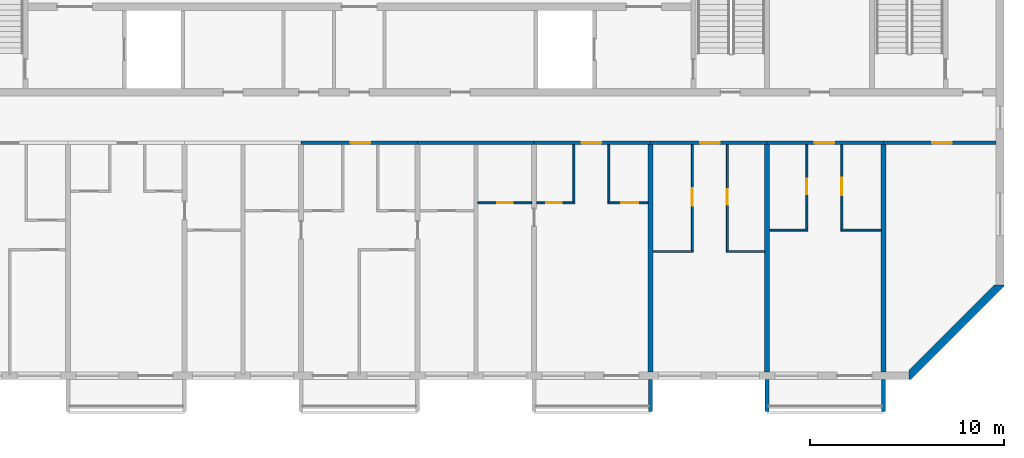
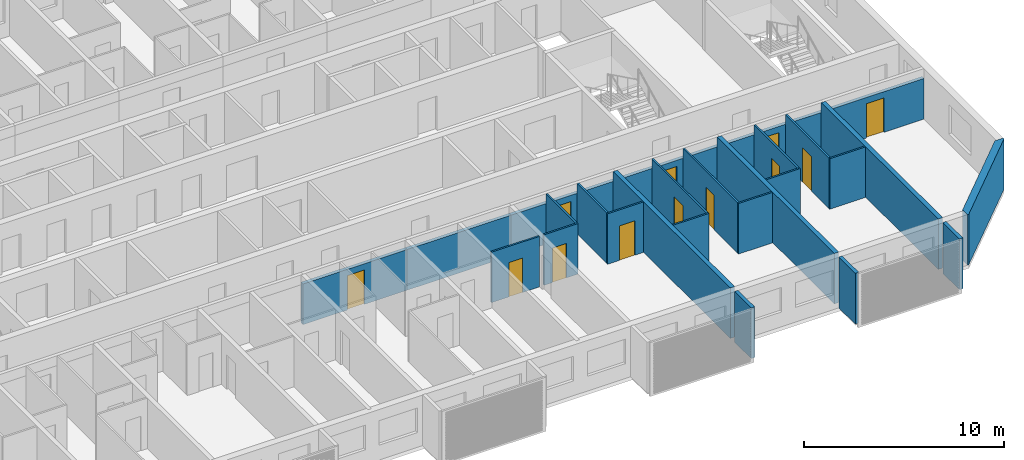
# One storey, part 5 of 26: 26 walls, 12 doors, 12 openings.
"""IFC4 building model written with IfcOpenShell, lengths in metres."""

from ifc_helpers import new_model, si_unit, direction, frame, frame_2d, origin, place, context, subcontext, project, spatial, polyline, rectangle, outline, extrude, source, transform, mapped, material, layer, layer_set, type_object, element, fill, save


model = new_model("IFC4")

# Units and contexts
model_context = context("Model", 3, precision=1e-05, world=origin(), true_north=direction((0.0, 1.0)))
body_context = subcontext(model_context, "Body", "Model", "MODEL_VIEW")
ifc_project = project(units=[si_unit("LENGTHUNIT", "METRE"), si_unit("AREAUNIT", "SQUARE_METRE"), si_unit("VOLUMEUNIT", "CUBIC_METRE"), si_unit("PLANEANGLEUNIT", "RADIAN"), si_unit("MASSUNIT", "GRAM", prefix="KILO")], contexts=[model_context])

# Site, building, storey
site_placement = place(None, origin())
site = spatial("IfcSite", under=ifc_project, at=site_placement, CompositionType="ELEMENT")
building_placement = place(site_placement, origin())
building = spatial("IfcBuilding", under=site, at=building_placement, Name="Poui Terraces", CompositionType="ELEMENT")
storey_placement = place(building_placement, frame((0.0, 0.0, 178.5)))
storey = spatial("IfcBuildingStorey", under=building, at=storey_placement, Name="L49", CompositionType="ELEMENT", Elevation=178.5)

# Wall, opening, door
ifc_material_1 = material(Name="Concrete 50 MPa", Category="concrete")
ifc_layer_1 = layer(ifc_material_1, 0.199951171875)
ifc_layer_set_1 = layer_set([ifc_layer_1], Name="Concrete 50 MPa")
wall_type_1 = type_object("IfcWallType", Name="CORRIDOR WALL 200 50MPa", PredefinedType="SHEAR", material=ifc_layer_set_1)
wall_1_placement = place(storey_placement, frame((48.0, 12.0, 0.0), z_axis=(0.0, 0.0, 1.0), x_axis=(1.0, 0.0, 0.0)))
wall_1 = element("IfcWall", 1, at=wall_1_placement, inside=storey, type_object=wall_type_1, Name="CORRIDOR WALL LINE B BAY 6", PredefinedType="SHEAR", context=body_context, shape_type="SweptSolid", body=[
    extrude(rectangle(XDim=6.0, YDim=0.199951171875, at=frame_2d((3.0, 0.0))), origin(), (0.0, 0.0, 1.0), 2.47998046875),
])
opening_1_placement = place(wall_1_placement, frame((2.550048828125, 0.0, 0.0)))
opening_1 = element("IfcOpeningElement", 2, at=opening_1_placement, cuts=wall_1, Name="Opening FD30S", PredefinedType="OPENING", context=body_context, shape_type="SweptSolid", body=[
    extrude(rectangle(XDim=1.0, YDim=2.10009765625, at=frame_2d((0.5, 1.050048828125))), frame((0.0, 0.10986328125, 0.0), z_axis=(0.0, -1.0, 0.0), x_axis=(1.0, 0.0, 0.0)), (0.0, 0.0, 1.0), 0.219970703125),
])
ifc_material_2 = material(Name="Steel fire door", Category="steel")
door_type_1 = type_object("IfcDoorType", Name="FLAT ENTRANCE DOOR 1000 X 2100", OperationType="NOTDEFINED", PredefinedType="DOOR", material=ifc_material_2)
door_1_placement = place(opening_1_placement, frame((1.0, 0.0, 0.0), z_axis=(0.0, 0.0, 1.0), x_axis=(-1.0, 0.0, 0.0)))
door_1 = element("IfcDoor", 3, at=door_1_placement, inside=storey, type_object=door_type_1, Name="FLAT ENTRANCE DOOR 079", OperationType="SINGLE_SWING_LEFT", OverallHeight=2.10009765625, OverallWidth=1.0, PredefinedType="DOOR", context=body_context, shape_type="SweptSolid", body=[
    extrude(rectangle(XDim=1.0, YDim=2.10009765625, at=frame_2d((0.5, 1.050048828125))), frame((0.0, 0.02490234375, 0.0), z_axis=(0.0, -1.0, 0.0), x_axis=(1.0, 0.0, 0.0)), (0.0, 0.0, 1.0), 0.050048828125),
])
fill(opening_1, door_1)

# Wall
wall_2_placement = place(storey_placement, frame((54.0, 12.0, 0.0), z_axis=(0.0, 0.0, 1.0), x_axis=(1.0, 0.0, 0.0)))
element("IfcWall", 4, at=wall_2_placement, inside=storey, type_object=wall_type_1, Name="CORRIDOR WALL LINE B BAY 7", PredefinedType="SHEAR", context=body_context, shape_type="SweptSolid", body=[
    extrude(rectangle(XDim=6.0, YDim=0.199951171875, at=frame_2d((3.0, 0.0))), origin(), (0.0, 0.0, 1.0), 2.47998046875),
])

# Wall, opening, door
wall_3_placement = place(storey_placement, frame((60.0, 12.0, 0.0), z_axis=(0.0, 0.0, 1.0), x_axis=(1.0, 0.0, 0.0)))
wall_3 = element("IfcWall", 5, at=wall_3_placement, inside=storey, type_object=wall_type_1, Name="CORRIDOR WALL LINE B BAY 8", PredefinedType="SHEAR", context=body_context, shape_type="SweptSolid", body=[
    extrude(rectangle(XDim=6.0, YDim=0.199951171875, at=frame_2d((3.0, 0.0))), origin(), (0.0, 0.0, 1.0), 2.47998046875),
])
opening_2_placement = place(wall_3_placement, frame((2.449951171875, 0.0, 0.0)))
opening_2 = element("IfcOpeningElement", 6, at=opening_2_placement, cuts=wall_3, Name="Opening FD30S", PredefinedType="OPENING", context=body_context, shape_type="SweptSolid", body=[
    extrude(rectangle(XDim=1.0, YDim=2.10009765625, at=frame_2d((0.5, 1.050048828125))), frame((0.0, 0.10986328125, 0.0), z_axis=(0.0, -1.0, 0.0), x_axis=(1.0, 0.0, 0.0)), (0.0, 0.0, 1.0), 0.219970703125),
])
door_2_placement = place(opening_2_placement, frame((1.0, 0.0, 0.0), z_axis=(0.0, 0.0, 1.0), x_axis=(-1.0, 0.0, 0.0)))
door_2 = element("IfcDoor", 7, at=door_2_placement, inside=storey, type_object=door_type_1, Name="FLAT ENTRANCE DOOR 086", OperationType="SINGLE_SWING_RIGHT", OverallHeight=2.10009765625, OverallWidth=1.0, PredefinedType="DOOR", context=body_context, shape_type="SweptSolid", body=[
    extrude(rectangle(XDim=1.0, YDim=2.10009765625, at=frame_2d((0.5, 1.050048828125))), frame((0.0, 0.02490234375, 0.0), z_axis=(0.0, -1.0, 0.0), x_axis=(1.0, 0.0, 0.0)), (0.0, 0.0, 1.0), 0.050048828125),
])
fill(opening_2, door_2)

wall_4_placement = place(storey_placement, frame((66.0, 12.0, 0.0), z_axis=(0.0, 0.0, 1.0), x_axis=(1.0, 0.0, 0.0)))
wall_4 = element("IfcWall", 8, at=wall_4_placement, inside=storey, type_object=wall_type_1, Name="CORRIDOR WALL LINE B BAY 9", PredefinedType="SHEAR", context=body_context, shape_type="SweptSolid", body=[
    extrude(rectangle(XDim=6.0, YDim=0.199951171875, at=frame_2d((3.0, 0.0))), origin(), (0.0, 0.0, 1.0), 2.47998046875),
])
opening_3_placement = place(wall_4_placement, frame((2.550048828125, 0.0, 0.0)))
opening_3 = element("IfcOpeningElement", 9, at=opening_3_placement, cuts=wall_4, Name="Opening FD30S", PredefinedType="OPENING", context=body_context, shape_type="SweptSolid", body=[
    extrude(rectangle(XDim=1.0, YDim=2.10009765625, at=frame_2d((0.5, 1.050048828125))), frame((0.0, 0.10986328125, 0.0), z_axis=(0.0, -1.0, 0.0), x_axis=(1.0, 0.0, 0.0)), (0.0, 0.0, 1.0), 0.219970703125),
])
door_3_placement = place(opening_3_placement, frame((1.0, 0.0, 0.0), z_axis=(0.0, 0.0, 1.0), x_axis=(-1.0, 0.0, 0.0)))
door_3 = element("IfcDoor", 10, at=door_3_placement, inside=storey, type_object=door_type_1, Name="FLAT ENTRANCE DOOR 089", OperationType="SINGLE_SWING_LEFT", OverallHeight=2.10009765625, OverallWidth=1.0, PredefinedType="DOOR", context=body_context, shape_type="SweptSolid", body=[
    extrude(rectangle(XDim=1.0, YDim=2.10009765625, at=frame_2d((0.5, 1.050048828125))), frame((0.0, 0.02490234375, 0.0), z_axis=(0.0, -1.0, 0.0), x_axis=(1.0, 0.0, 0.0)), (0.0, 0.0, 1.0), 0.050048828125),
])
fill(opening_3, door_3)

wall_5_placement = place(storey_placement, frame((72.0, 12.0, 0.0), z_axis=(0.0, 0.0, 1.0), x_axis=(1.0, 0.0, 0.0)))
wall_5 = element("IfcWall", 11, at=wall_5_placement, inside=storey, type_object=wall_type_1, Name="CORRIDOR WALL LINE B BAY 10", PredefinedType="SHEAR", context=body_context, shape_type="SweptSolid", body=[
    extrude(rectangle(XDim=6.0, YDim=0.199951171875, at=frame_2d((3.0, 0.0))), origin(), (0.0, 0.0, 1.0), 2.47998046875),
])
opening_4_placement = place(wall_5_placement, frame((2.449951171875, 0.0, 0.0)))
opening_4 = element("IfcOpeningElement", 12, at=opening_4_placement, cuts=wall_5, Name="Opening FD30S", PredefinedType="OPENING", context=body_context, shape_type="SweptSolid", body=[
    extrude(rectangle(XDim=1.0, YDim=2.10009765625, at=frame_2d((0.5, 1.050048828125))), frame((0.0, 0.10986328125, 0.0), z_axis=(0.0, -1.0, 0.0), x_axis=(1.0, 0.0, 0.0)), (0.0, 0.0, 1.0), 0.219970703125),
])
door_4_placement = place(opening_4_placement, frame((1.0, 0.0, 0.0), z_axis=(0.0, 0.0, 1.0), x_axis=(-1.0, 0.0, 0.0)))
door_4 = element("IfcDoor", 13, at=door_4_placement, inside=storey, type_object=door_type_1, Name="FLAT ENTRANCE DOOR 092", OperationType="SINGLE_SWING_RIGHT", OverallHeight=2.10009765625, OverallWidth=1.0, PredefinedType="DOOR", context=body_context, shape_type="SweptSolid", body=[
    extrude(rectangle(XDim=1.0, YDim=2.10009765625, at=frame_2d((0.5, 1.050048828125))), frame((0.0, 0.02490234375, 0.0), z_axis=(0.0, -1.0, 0.0), x_axis=(1.0, 0.0, 0.0)), (0.0, 0.0, 1.0), 0.050048828125),
])
fill(opening_4, door_4)

wall_6_placement = place(storey_placement, frame((78.0, 12.0, 0.0), z_axis=(0.0, 0.0, 1.0), x_axis=(1.0, 0.0, 0.0)))
wall_6 = element("IfcWall", 14, at=wall_6_placement, inside=storey, type_object=wall_type_1, Name="CORRIDOR WALL LINE B BAY 11", PredefinedType="SHEAR", context=body_context, shape_type="SweptSolid", body=[
    extrude(rectangle(XDim=5.800048828125, YDim=0.199951171875, at=frame_2d((2.89990234375, 0.0))), origin(), (0.0, 0.0, 1.0), 2.47998046875),
])
opening_5_placement = place(wall_6_placement, frame((2.5, 0.0, 0.0)))
opening_5 = element("IfcOpeningElement", 15, at=opening_5_placement, cuts=wall_6, Name="Opening D100", PredefinedType="OPENING", context=body_context, shape_type="SweptSolid", body=[
    extrude(rectangle(XDim=1.0, YDim=2.10009765625, at=frame_2d((0.5, 1.050048828125))), frame((0.0, 0.10986328125, 0.0), z_axis=(0.0, -1.0, 0.0), x_axis=(1.0, 0.0, 0.0)), (0.0, 0.0, 1.0), 0.219970703125),
])
ifc_material_3 = material(Name="Solid core timber door", Category="wood")
door_type_2 = type_object("IfcDoorType", Name="ACCESSIBLE INTERNAL DOOR 1000 X 2100", OperationType="NOTDEFINED", PredefinedType="DOOR", material=ifc_material_3)
door_5_placement = place(opening_5_placement, frame((1.0, 0.0, 0.0), z_axis=(0.0, 0.0, 1.0), x_axis=(-1.0, 0.0, 0.0)))
door_5 = element("IfcDoor", 16, at=door_5_placement, inside=storey, type_object=door_type_2, Name="ACCESSIBLE INTERNAL DOOR 094", OperationType="SINGLE_SWING_RIGHT", OverallHeight=2.10009765625, OverallWidth=1.0, PredefinedType="DOOR", context=body_context, shape_type="SweptSolid", body=[
    extrude(rectangle(XDim=1.0, YDim=2.10009765625, at=frame_2d((0.5, 1.050048828125))), frame((0.0, 0.02490234375, 0.0), z_axis=(0.0, -1.0, 0.0), x_axis=(1.0, 0.0, 0.0)), (0.0, 0.0, 1.0), 0.050048828125),
])
fill(opening_5, door_5)

# Walls
ifc_layer_2 = layer(ifc_material_1, 0.25)
ifc_layer_set_2 = layer_set([ifc_layer_2], Name="Concrete 50 MPa")
wall_type_2 = type_object("IfcWallType", Name="CROSS WALL 250 50MPa", PredefinedType="SHEAR", material=ifc_layer_set_2)
for number, where, z_axis, x_axis, name in (
    (17, (66.0, 0.199951171875, 0.0), (0.0, 0.0, 1.0), (0.0, 1.0, 0.0), "CROSS WALL LINE 12 SOUTH"),
    (18, (72.0, 0.199951171875, 0.0), (0.0, 0.0, 1.0), (0.0, 1.0, 0.0), "CROSS WALL LINE 13 SOUTH"),
    (19, (78.0, 0.199951171875, 0.0), (0.0, 0.0, 1.0), (0.0, 1.0, 0.0), "CROSS WALL LINE 14 SOUTH"),
):
    element("IfcWall", number, at=place(storey_placement, frame(where, z_axis=z_axis, x_axis=x_axis)), inside=storey, type_object=wall_type_2, Name=name, PredefinedType="SHEAR", context=body_context, shape_type="SweptSolid", body=[
        extrude(rectangle(XDim=11.699951171875, YDim=0.25, at=frame_2d((5.85009765625, 0.0))), origin(), (0.0, 0.0, 1.0), 3.080078125),
    ])
ifc_material_4 = material(Name="Plasterboard partition")
ifc_layer_3 = layer(ifc_material_4, 0.10009765625)
ifc_layer_set_3 = layer_set([ifc_layer_3], Name="Plasterboard partition")
wall_type_3 = type_object("IfcWallType", Name="FLAT PARTITION 100", PredefinedType="PARTITIONING", material=ifc_layer_set_3)
wall_7_placement = place(storey_placement, frame((66.135009765625, 6.39990234375, 0.0), z_axis=(0.0, 0.0, 1.0), x_axis=(1.0, 0.0, 0.0)))
element("IfcWall", 20, at=wall_7_placement, inside=storey, type_object=wall_type_3, Name="FLAT PARTITION 100", PredefinedType="PARTITIONING", context=body_context, shape_type="SweptSolid", body=[
    extrude(rectangle(XDim=2.06494140625, YDim=0.10009765625, at=frame_2d((1.032470703125, 0.0))), origin(), (0.0, 0.0, 1.0), 3.080078125),
])
for number, where, z_axis, x_axis, name in (
    (21, (69.89990234375, 6.39990234375, 0.0), (0.0, 0.0, 1.0), (1.0, 0.0, 0.0), "FLAT PARTITION 100"),
    (22, (72.135009765625, 7.5, 0.0), (0.0, 0.0, 1.0), (1.0, 0.0, 0.0), "FLAT PARTITION 100"),
):
    element("IfcWall", number, at=place(storey_placement, frame(where, z_axis=z_axis, x_axis=x_axis)), inside=storey, type_object=wall_type_3, Name=name, PredefinedType="PARTITIONING", context=body_context, shape_type="SweptSolid", body=[
        extrude(rectangle(XDim=1.965087890625, YDim=0.10009765625, at=frame_2d((0.982421875, 0.0))), origin(), (0.0, 0.0, 1.0), 3.080078125),
    ])
wall_8_placement = place(storey_placement, frame((75.800048828125, 7.5, 0.0), z_axis=(0.0, 0.0, 1.0), x_axis=(1.0, 0.0, 0.0)))
element("IfcWall", 23, at=wall_8_placement, inside=storey, type_object=wall_type_3, Name="FLAT PARTITION 100", PredefinedType="PARTITIONING", context=body_context, shape_type="SweptSolid", body=[
    extrude(rectangle(XDim=2.06494140625, YDim=0.10009765625, at=frame_2d((1.032470703125, 0.0))), origin(), (0.0, 0.0, 1.0), 3.080078125),
])

# Wall, opening, door
wall_9_placement = place(storey_placement, frame((57.10009765625, 8.89990234375, 0.0), z_axis=(0.0, 0.0, 1.0), x_axis=(1.0, 0.0, 0.0)))
wall_9 = element("IfcWall", 24, at=wall_9_placement, inside=storey, type_object=wall_type_3, Name="FLAT PARTITION 100", PredefinedType="PARTITIONING", context=body_context, shape_type="SweptSolid", body=[
    extrude(rectangle(XDim=2.764892578125, YDim=0.10009765625, at=frame_2d((1.38232421875, 0.0))), origin(), (0.0, 0.0, 1.0), 3.080078125),
])
opening_6_placement = place(wall_9_placement, frame((1.0, 0.0, 0.0)))
opening_6 = element("IfcOpeningElement", 25, at=opening_6_placement, cuts=wall_9, Name="Opening D80", PredefinedType="OPENING", context=body_context, shape_type="SweptSolid", body=[
    extrude(rectangle(XDim=0.800048828125, YDim=2.10009765625, at=frame_2d((0.39990234375, 1.050048828125))), frame((0.0, 0.06005859375, 0.0), z_axis=(0.0, -1.0, 0.0), x_axis=(1.0, 0.0, 0.0)), (0.0, 0.0, 1.0), 0.1201171875),
])
door_type_3 = type_object("IfcDoorType", Name="BATHROOM, LAUNDRY AND STORE DOOR 800 X 2100", OperationType="NOTDEFINED", PredefinedType="DOOR", material=ifc_material_3)
door_6_placement = place(opening_6_placement, origin())
door_6 = element("IfcDoor", 26, at=door_6_placement, inside=storey, type_object=door_type_3, Name="BATHROOM, LAUNDRY AND STORE DOOR 083", OperationType="SINGLE_SWING_RIGHT", OverallHeight=2.10009765625, OverallWidth=0.800048828125, PredefinedType="DOOR", context=body_context, shape_type="SweptSolid", body=[
    extrude(rectangle(XDim=0.800048828125, YDim=2.10009765625, at=frame_2d((0.39990234375, 1.050048828125))), frame((0.0, 0.02490234375, 0.0), z_axis=(0.0, -1.0, 0.0), x_axis=(1.0, 0.0, 0.0)), (0.0, 0.0, 1.0), 0.050048828125),
])
fill(opening_6, door_6)

wall_10_placement = place(storey_placement, frame((60.135009765625, 8.89990234375, 0.0), z_axis=(0.0, 0.0, 1.0), x_axis=(1.0, 0.0, 0.0)))
wall_10 = element("IfcWall", 27, at=wall_10_placement, inside=storey, type_object=wall_type_3, Name="FLAT PARTITION 100", PredefinedType="PARTITIONING", context=body_context, shape_type="SweptSolid", body=[
    extrude(rectangle(XDim=1.965087890625, YDim=0.10009765625, at=frame_2d((0.982421875, 0.0))), origin(), (0.0, 0.0, 1.0), 3.080078125),
])
opening_7_placement = place(wall_10_placement, frame((0.489990234375, 0.0, 0.0)))
opening_7 = element("IfcOpeningElement", 28, at=opening_7_placement, cuts=wall_10, Name="Opening D80", PredefinedType="OPENING", context=body_context, shape_type="SweptSolid", body=[
    extrude(rectangle(XDim=0.800048828125, YDim=2.10009765625, at=frame_2d((0.39990234375, 1.050048828125))), frame((0.0, 0.06005859375, 0.0), z_axis=(0.0, -1.0, 0.0), x_axis=(1.0, 0.0, 0.0)), (0.0, 0.0, 1.0), 0.1201171875),
])
door_7_placement = place(opening_7_placement, origin())
door_7 = element("IfcDoor", 29, at=door_7_placement, inside=storey, type_object=door_type_3, Name="BATHROOM, LAUNDRY AND STORE DOOR 085", OperationType="SINGLE_SWING_LEFT", OverallHeight=2.10009765625, OverallWidth=0.800048828125, PredefinedType="DOOR", context=body_context, shape_type="SweptSolid", body=[
    extrude(rectangle(XDim=0.800048828125, YDim=2.10009765625, at=frame_2d((0.39990234375, 1.050048828125))), frame((0.0, 0.02490234375, 0.0), z_axis=(0.0, -1.0, 0.0), x_axis=(1.0, 0.0, 0.0)), (0.0, 0.0, 1.0), 0.050048828125),
])
fill(opening_7, door_7)

wall_11_placement = place(storey_placement, frame((63.800048828125, 8.89990234375, 0.0), z_axis=(0.0, 0.0, 1.0), x_axis=(1.0, 0.0, 0.0)))
wall_11 = element("IfcWall", 30, at=wall_11_placement, inside=storey, type_object=wall_type_3, Name="FLAT PARTITION 100", PredefinedType="PARTITIONING", context=body_context, shape_type="SweptSolid", body=[
    extrude(rectangle(XDim=2.06494140625, YDim=0.10009765625, at=frame_2d((1.032470703125, 0.0))), origin(), (0.0, 0.0, 1.0), 3.080078125),
])
opening_8_placement = place(wall_11_placement, frame((0.675048828125, 0.0, 0.0)))
opening_8 = element("IfcOpeningElement", 31, at=opening_8_placement, cuts=wall_11, Name="Opening D90", PredefinedType="OPENING", context=body_context, shape_type="SweptSolid", body=[
    extrude(rectangle(XDim=0.89990234375, YDim=2.10009765625, at=frame_2d((0.449951171875, 1.050048828125))), frame((0.0, 0.06005859375, 0.0), z_axis=(0.0, -1.0, 0.0), x_axis=(1.0, 0.0, 0.0)), (0.0, 0.0, 1.0), 0.1201171875),
])
door_type_4 = type_object("IfcDoorType", Name="INTERNAL DOOR 900 X 2100", OperationType="NOTDEFINED", PredefinedType="DOOR", material=ifc_material_3)
door_8_placement = place(opening_8_placement, origin())
door_8 = element("IfcDoor", 32, at=door_8_placement, inside=storey, type_object=door_type_4, Name="INTERNAL DOOR 087", OperationType="SINGLE_SWING_RIGHT", OverallHeight=2.10009765625, OverallWidth=0.89990234375, PredefinedType="DOOR", context=body_context, shape_type="SweptSolid", body=[
    extrude(rectangle(XDim=0.89990234375, YDim=2.10009765625, at=frame_2d((0.449951171875, 1.050048828125))), frame((0.0, 0.02490234375, 0.0), z_axis=(0.0, -1.0, 0.0), x_axis=(1.0, 0.0, 0.0)), (0.0, 0.0, 1.0), 0.050048828125),
])
fill(opening_8, door_8)

# Walls
for number, where, z_axis, x_axis, name in (
    (33, (62.050048828125, 8.949951171875, 0.0), (0.0, 0.0, 1.0), (0.0, 1.0, 0.0), "FLAT PARTITION 100"),
    (34, (63.85009765625, 8.949951171875, 0.0), (0.0, 0.0, 1.0), (0.0, 1.0, 0.0), "FLAT PARTITION 100"),
):
    element("IfcWall", number, at=place(storey_placement, frame(where, z_axis=z_axis, x_axis=x_axis)), inside=storey, type_object=wall_type_3, Name=name, PredefinedType="PARTITIONING", context=body_context, shape_type="SweptSolid", body=[
        extrude(rectangle(XDim=2.93994140625, YDim=0.10009765625, at=frame_2d((1.469970703125, 0.0))), origin(), (0.0, 0.0, 1.0), 3.080078125),
    ])

# Wall, opening, door
wall_12_placement = place(storey_placement, frame((68.14990234375, 6.449951171875, 0.0), z_axis=(0.0, 0.0, 1.0), x_axis=(0.0, 1.0, 0.0)))
wall_12 = element("IfcWall", 35, at=wall_12_placement, inside=storey, type_object=wall_type_3, Name="FLAT PARTITION 100", PredefinedType="PARTITIONING", context=body_context, shape_type="SweptSolid", body=[
    extrude(rectangle(XDim=5.43994140625, YDim=0.10009765625, at=frame_2d((2.719970703125, 0.0))), origin(), (0.0, 0.0, 1.0), 3.080078125),
])
opening_9_placement = place(wall_12_placement, frame((2.300048828125, 0.0, 0.0)))
opening_9 = element("IfcOpeningElement", 36, at=opening_9_placement, cuts=wall_12, Name="Opening D90", PredefinedType="OPENING", context=body_context, shape_type="SweptSolid", body=[
    extrude(rectangle(XDim=0.89990234375, YDim=2.10009765625, at=frame_2d((0.449951171875, 1.050048828125))), frame((0.0, 0.06005859375, 0.0), z_axis=(0.0, -1.0, 0.0), x_axis=(1.0, 0.0, 0.0)), (0.0, 0.0, 1.0), 0.1201171875),
])
door_9_placement = place(opening_9_placement, origin())
door_9 = element("IfcDoor", 37, at=door_9_placement, inside=storey, type_object=door_type_4, Name="INTERNAL DOOR 088", OperationType="SINGLE_SWING_RIGHT", OverallHeight=2.10009765625, OverallWidth=0.89990234375, PredefinedType="DOOR", context=body_context, shape_type="SweptSolid", body=[
    extrude(rectangle(XDim=0.89990234375, YDim=2.10009765625, at=frame_2d((0.449951171875, 1.050048828125))), frame((0.0, 0.02490234375, 0.0), z_axis=(0.0, -1.0, 0.0), x_axis=(1.0, 0.0, 0.0)), (0.0, 0.0, 1.0), 0.050048828125),
])
fill(opening_9, door_9)

wall_13_placement = place(storey_placement, frame((69.949951171875, 6.449951171875, 0.0), z_axis=(0.0, 0.0, 1.0), x_axis=(0.0, 1.0, 0.0)))
wall_13 = element("IfcWall", 38, at=wall_13_placement, inside=storey, type_object=wall_type_3, Name="FLAT PARTITION 100", PredefinedType="PARTITIONING", context=body_context, shape_type="SweptSolid", body=[
    extrude(rectangle(XDim=5.43994140625, YDim=0.10009765625, at=frame_2d((2.719970703125, 0.0))), origin(), (0.0, 0.0, 1.0), 3.080078125),
])
opening_10_placement = place(wall_13_placement, frame((2.35009765625, 0.0, 0.0)))
opening_10 = element("IfcOpeningElement", 39, at=opening_10_placement, cuts=wall_13, Name="Opening D80", PredefinedType="OPENING", context=body_context, shape_type="SweptSolid", body=[
    extrude(rectangle(XDim=0.800048828125, YDim=2.10009765625, at=frame_2d((0.39990234375, 1.050048828125))), frame((0.0, 0.06005859375, 0.0), z_axis=(0.0, -1.0, 0.0), x_axis=(1.0, 0.0, 0.0)), (0.0, 0.0, 1.0), 0.1201171875),
])
door_10_placement = place(opening_10_placement, frame((0.800048828125, 0.0, 0.0), z_axis=(0.0, 0.0, 1.0), x_axis=(-1.0, 0.0, 0.0)))
door_10 = element("IfcDoor", 40, at=door_10_placement, inside=storey, type_object=door_type_3, Name="BATHROOM, LAUNDRY AND STORE DOOR 090", OperationType="SINGLE_SWING_RIGHT", OverallHeight=2.10009765625, OverallWidth=0.800048828125, PredefinedType="DOOR", context=body_context, shape_type="SweptSolid", body=[
    extrude(rectangle(XDim=0.800048828125, YDim=2.10009765625, at=frame_2d((0.39990234375, 1.050048828125))), frame((0.0, 0.02490234375, 0.0), z_axis=(0.0, -1.0, 0.0), x_axis=(1.0, 0.0, 0.0)), (0.0, 0.0, 1.0), 0.050048828125),
])
fill(opening_10, door_10)

wall_14_placement = place(storey_placement, frame((74.050048828125, 7.550048828125, 0.0), z_axis=(0.0, 0.0, 1.0), x_axis=(0.0, 1.0, 0.0)))
wall_14 = element("IfcWall", 41, at=wall_14_placement, inside=storey, type_object=wall_type_3, Name="FLAT PARTITION 100", PredefinedType="PARTITIONING", context=body_context, shape_type="SweptSolid", body=[
    extrude(rectangle(XDim=4.33984375, YDim=0.10009765625, at=frame_2d((2.169921875, 0.0))), origin(), (0.0, 0.0, 1.0), 3.080078125),
])
opening_11_placement = place(wall_14_placement, frame((1.800048828125, 0.0, 0.0)))
opening_11 = element("IfcOpeningElement", 42, at=opening_11_placement, cuts=wall_14, Name="Opening D80", PredefinedType="OPENING", context=body_context, shape_type="SweptSolid", body=[
    extrude(rectangle(XDim=0.800048828125, YDim=2.10009765625, at=frame_2d((0.39990234375, 1.050048828125))), frame((0.0, 0.06005859375, 0.0), z_axis=(0.0, -1.0, 0.0), x_axis=(1.0, 0.0, 0.0)), (0.0, 0.0, 1.0), 0.1201171875),
])
door_11_placement = place(opening_11_placement, origin())
door_11 = element("IfcDoor", 43, at=door_11_placement, inside=storey, type_object=door_type_3, Name="BATHROOM, LAUNDRY AND STORE DOOR 091", OperationType="SINGLE_SWING_LEFT", OverallHeight=2.10009765625, OverallWidth=0.800048828125, PredefinedType="DOOR", context=body_context, shape_type="SweptSolid", body=[
    extrude(rectangle(XDim=0.800048828125, YDim=2.10009765625, at=frame_2d((0.39990234375, 1.050048828125))), frame((0.0, 0.02490234375, 0.0), z_axis=(0.0, -1.0, 0.0), x_axis=(1.0, 0.0, 0.0)), (0.0, 0.0, 1.0), 0.050048828125),
])
fill(opening_11, door_11)

wall_15_placement = place(storey_placement, frame((75.85009765625, 7.550048828125, 0.0), z_axis=(0.0, 0.0, 1.0), x_axis=(0.0, 1.0, 0.0)))
wall_15 = element("IfcWall", 44, at=wall_15_placement, inside=storey, type_object=wall_type_3, Name="FLAT PARTITION 100", PredefinedType="PARTITIONING", context=body_context, shape_type="SweptSolid", body=[
    extrude(rectangle(XDim=4.33984375, YDim=0.10009765625, at=frame_2d((2.169921875, 0.0))), origin(), (0.0, 0.0, 1.0), 3.080078125),
])
opening_12_placement = place(wall_15_placement, frame((1.75, 0.0, 0.0)))
opening_12 = element("IfcOpeningElement", 45, at=opening_12_placement, cuts=wall_15, Name="Opening D90", PredefinedType="OPENING", context=body_context, shape_type="SweptSolid", body=[
    extrude(rectangle(XDim=0.89990234375, YDim=2.10009765625, at=frame_2d((0.449951171875, 1.050048828125))), frame((0.0, 0.06005859375, 0.0), z_axis=(0.0, -1.0, 0.0), x_axis=(1.0, 0.0, 0.0)), (0.0, 0.0, 1.0), 0.1201171875),
])
door_12_placement = place(opening_12_placement, frame((0.89990234375, 0.0, 0.0), z_axis=(0.0, 0.0, 1.0), x_axis=(-1.0, 0.0, 0.0)))
door_12 = element("IfcDoor", 46, at=door_12_placement, inside=storey, type_object=door_type_4, Name="INTERNAL DOOR 093", OperationType="SINGLE_SWING_LEFT", OverallHeight=2.10009765625, OverallWidth=0.89990234375, PredefinedType="DOOR", context=body_context, shape_type="SweptSolid", body=[
    extrude(rectangle(XDim=0.89990234375, YDim=2.10009765625, at=frame_2d((0.449951171875, 1.050048828125))), frame((0.0, 0.02490234375, 0.0), z_axis=(0.0, -1.0, 0.0), x_axis=(1.0, 0.0, 0.0)), (0.0, 0.0, 1.0), 0.050048828125),
])
fill(opening_12, door_12)

# Walls
ifc_material_5 = material(Name="Precast concrete 40 MPa", Category="concrete")
ifc_layer_4 = layer(ifc_material_5, 0.39990234375)
ifc_layer_set_4 = layer_set([ifc_layer_4], Name="Precast concrete 40 MPa")
wall_type_4 = type_object("IfcWallType", Name="TERRACOTTA CLAD CHAMFER WALL 400", PredefinedType="STANDARD", material=ifc_layer_set_4)
wall_16_placement = place(storey_placement, origin())
element("IfcWall", 47, at=wall_16_placement, inside=storey, type_object=wall_type_4, Name="CHAMFER WALL CH01", PredefinedType="STANDARD", context=body_context, shape_type="SweptSolid", body=[
    extrude(outline(polyline([(79.317138671875, -0.199951171875), (79.39990234375, -0.199951171875), (84.199951171875, 4.60009765625), (84.199951171875, 4.682861328125), (83.71728515625, 4.682861328125), (79.317138671875, 0.28271484375), (79.317138671875, -0.199951171875)])), origin(), (0.0, 0.0, 1.0), 3.080078125),
])
ifc_layer_5 = layer(ifc_material_5, 0.199951171875)
ifc_layer_set_5 = layer_set([ifc_layer_5], Name="Precast concrete 40 MPa")
wall_type_5 = type_object("IfcWallType", Name="REAR FIN 200", PredefinedType="STANDARD", material=ifc_layer_set_5)
shared_shape = source(origin(), body_context, "Body", "SweptSolid", [
    extrude(outline(polyline([(0.0, 0.0), (0.2001953125, 0.0), (0.2001953125, 1.650146484375), (0.0, 1.650146484375), (0.0, 0.0)])), origin(), (0.0, 0.0, 1.0), 3.10009765625),
])
for number, where, name in (
    (48, (65.89990234375, -1.85009765625, 0.0), "REAR FIN"),
    (49, (71.89990234375, -1.85009765625, 0.0), "REAR FIN"),
    (50, (77.89990234375, -1.85009765625, 0.0), "REAR FIN"),
):
    element("IfcWall", number, at=place(storey_placement, frame(where)), inside=storey, type_object=wall_type_5, Name=name, PredefinedType="STANDARD", context=body_context, shape_type="MappedRepresentation", body=[
        mapped(shared_shape, transform((0.0, 0.0, 0.0))),
    ])

save(model, "model.ifc")
